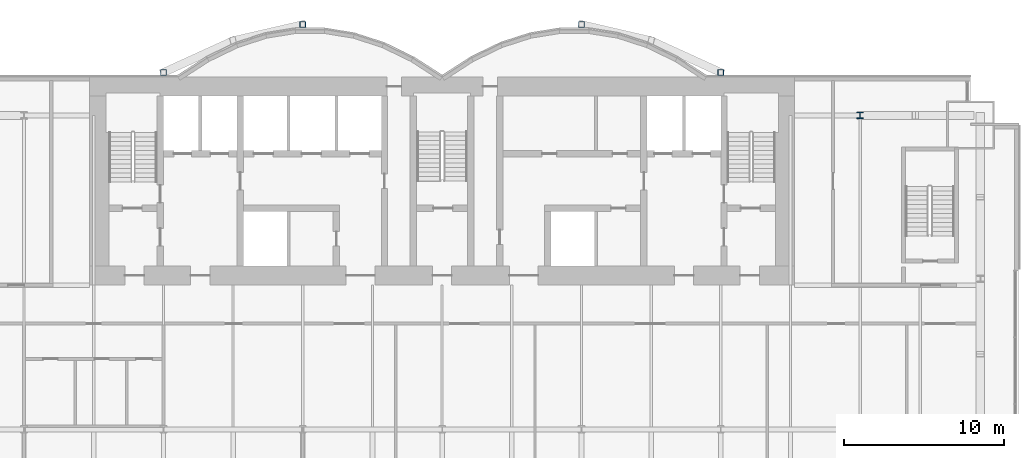
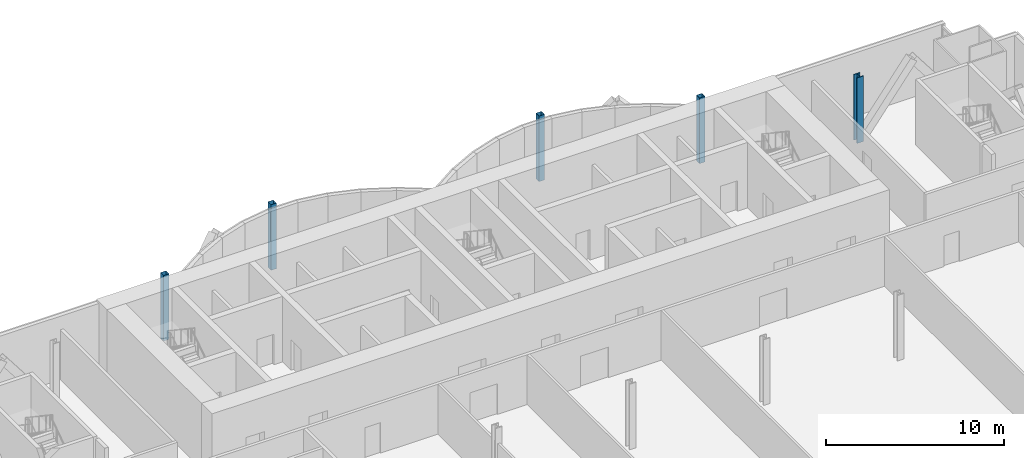
# One storey, part 2 of 21: 5 columns.
"""IFC4 building model written with IfcOpenShell, lengths in metres."""

import ifcopenshell
import ifcopenshell.guid

model = None  # the IFC model being written
_history = None  # IfcOwnerHistory: only IFC2X3 demands one
_inside = {}  # id of a spatial element -> (the spatial element, [elements in it])
_under = {}  # id of a project, library or spatial element -> (it, [spatial elements below it])
_declared = {}  # id of a project -> (the project, [libraries it declares])
_typed = {}  # id of a type object -> (the type object, [elements of that type])
_made_of = {}  # id of a material, layer set ... -> (it, [elements and type objects made of it])


def new_model(schema):
    """Start an empty IFC model of exactly this schema.

    Asked for "IFC4X3", IfcOpenShell would pick the latest addendum, in which some entities
    have other attributes; the version numbers below select the first issue.
    IFC2X3 requires an IfcOwnerHistory on every rooted entity: one is made here for all.
    """
    global model, _history
    if schema == "IFC4X3":
        model = ifcopenshell.file(schema_version=(4, 3, 0, 0))
    else:
        model = ifcopenshell.file(schema=schema)
    _inside.clear()
    _under.clear()
    _declared.clear()
    _typed.clear()
    _made_of.clear()
    _history = None
    if model.schema == "IFC2X3":
        org = make("IfcOrganization", Name="unknown")
        user = make(
            "IfcPersonAndOrganization",
            ThePerson=make("IfcPerson", FamilyName="unknown"),
            TheOrganization=org,
        )
        app = make(
            "IfcApplication",
            ApplicationDeveloper=org,
            Version="unknown",
            ApplicationFullName="unknown",
            ApplicationIdentifier="unknown",
        )
        _history = make(
            "IfcOwnerHistory",
            OwningUser=user,
            OwningApplication=app,
            ChangeAction="ADDED",
            CreationDate=0,
        )
    return model


def make(cls, **values):
    """One entity of the class cls with the attributes given. An attribute that is None is left unset."""
    return model.create_entity(
        cls, **{name: value for name, value in values.items() if value is not None}
    )


def rooted(cls, **values):
    """An entity with a GlobalId (a new one), such as an element, a storey or a relation."""
    return make(cls, GlobalId=ifcopenshell.guid.new(), OwnerHistory=_history, **values)


def si_unit(unit_type, name, prefix=None):
    """IfcSIUnit, for example si_unit("LENGTHUNIT", "METRE", prefix="MILLI")."""
    return make("IfcSIUnit", UnitType=unit_type, Prefix=prefix, Name=name)


def assignment(units):
    """IfcUnitAssignment: the units of a project."""
    return None if units is None else make("IfcUnitAssignment", Units=units)


def point(xyz):
    """IfcCartesianPoint."""
    return None if xyz is None else make("IfcCartesianPoint", Coordinates=xyz)


def direction(xyz):
    """IfcDirection."""
    return None if xyz is None else make("IfcDirection", DirectionRatios=xyz)


def frame(location, z_axis=None, x_axis=None):
    """IfcAxis2Placement3D, a coordinate frame: its origin and axes. An axis left out is left unset."""
    return make(
        "IfcAxis2Placement3D",
        Location=point(location),
        Axis=direction(z_axis),
        RefDirection=direction(x_axis),
    )


def frame_2d(location, x_axis=None):
    """IfcAxis2Placement2D, a coordinate frame in the plane: its origin and x axis."""
    return make(
        "IfcAxis2Placement2D", Location=point(location), RefDirection=direction(x_axis)
    )


def origin():
    """The frame at (0, 0, 0) with its axes left unset."""
    return frame((0.0, 0.0, 0.0))


def origin_2d():
    """The frame at (0, 0) in the plane with its x axis left unset."""
    return frame_2d((0.0, 0.0))


def place(relative_to, where):
    """IfcLocalPlacement: puts the frame where relative to a parent placement (None: the world)."""
    return make(
        "IfcLocalPlacement", PlacementRelTo=relative_to, RelativePlacement=where
    )


def context(
    kind, dimensions, precision=None, world=None, true_north=None, identifier=None
):
    """IfcGeometricRepresentationContext, for example the 3D "Model" context."""
    return make(
        "IfcGeometricRepresentationContext",
        ContextIdentifier=identifier,
        ContextType=kind,
        CoordinateSpaceDimension=dimensions,
        Precision=precision,
        WorldCoordinateSystem=world,
        TrueNorth=true_north,
    )


def subcontext(parent, identifier, kind, view, scale=None):
    """IfcGeometricRepresentationSubContext, for example "Body" below "Model"."""
    return make(
        "IfcGeometricRepresentationSubContext",
        ContextIdentifier=identifier,
        ContextType=kind,
        ParentContext=parent,
        TargetScale=scale,
        TargetView=view,
    )


def project(units=None, contexts=None):
    """IfcProject with its units and contexts."""
    return rooted(
        "IfcProject",
        Name="project",
        RepresentationContexts=contexts,
        UnitsInContext=assignment(units),
    )


def spatial(cls, under=None, at=None, **own):
    """A site, building, storey or space (cls), placed at a placement, below another one or the project."""
    s = rooted(cls, ObjectPlacement=at, **own)
    if under is not None:
        _under.setdefault(under.id(), (under, []))[1].append(s)
    return s


def profile(cls, at=None, kind="AREA", **sizes):
    """A parametric profile (cls). Its sizes go by their IFC names, for example OverallWidth=200.0."""
    return make(cls, ProfileType=kind, Position=at, **sizes)


def hollow_rectangle(**sizes):
    """IfcRectangleHollowProfileDef."""
    return profile("IfcRectangleHollowProfileDef", **sizes)


def i_section(**sizes):
    """IfcIShapeProfileDef."""
    return profile("IfcIShapeProfileDef", **sizes)


def extrude(swept, where, along, depth):
    """IfcExtrudedAreaSolid: the profile swept, set in the frame where, extruded along a direction by depth."""
    return make(
        "IfcExtrudedAreaSolid",
        SweptArea=swept,
        Position=where,
        ExtrudedDirection=direction(along),
        Depth=depth,
    )


def shape(context_of_items, identifier, shape_type, items):
    """IfcShapeRepresentation: the items that make up one representation, for example the "Body"."""
    return make(
        "IfcShapeRepresentation",
        ContextOfItems=context_of_items,
        RepresentationIdentifier=identifier,
        RepresentationType=shape_type,
        Items=items,
    )


def material(Name=None, Category=None):
    """IfcMaterial."""
    return make("IfcMaterial", Name=Name, Category=Category)


def material_profile(
    of_material, cross_section, Name=None, Category=None, Priority=None
):
    """IfcMaterialProfile: a cross section and its material."""
    return make(
        "IfcMaterialProfile",
        Name=Name,
        Material=of_material,
        Profile=cross_section,
        Priority=Priority,
        Category=Category,
    )


def profile_set(profiles, Name=None, composite=None):
    """IfcMaterialProfileSet."""
    return make(
        "IfcMaterialProfileSet",
        Name=Name,
        MaterialProfiles=profiles,
        CompositeProfile=composite,
    )


def made_of(thing, what):
    """Note that an element or type object is made of a material, layer set ...; save() writes the relation."""
    if what is not None:
        _made_of.setdefault(what.id(), (what, []))[1].append(thing)
    return thing


def type_object(cls, material=None, **own):
    """A type object (cls), such as IfcWallType, which elements share."""
    return made_of(rooted(cls, **own), material)


def element(
    cls,
    number,
    at=None,
    inside=None,
    cuts=None,
    type_object=None,
    material=None,
    context=None,
    identifier="Body",
    shape_type=None,
    held_by="IfcProductDefinitionShape",
    body=None,
    shapes=None,
    **own,
):
    """One element of the class cls, such as IfcWall. Its Tag is "e" and its number.

    at: its placement. inside: the storey or other place that contains it. cuts: it is an
    opening in that element (IfcRelVoidsElement). A single representation is given by context,
    identifier, shape_type and body (its items); several are given by shapes. held_by: the class
    of the entity that holds the representations. save() writes the other relations.
    """
    e = rooted(cls, Tag="e%d" % number, ObjectPlacement=at, **own)
    if body is not None:
        shapes = [shape(context, identifier, shape_type, body)]
    if shapes is not None:
        e.Representation = make(held_by, Representations=shapes)
    if inside is not None:
        _inside.setdefault(inside.id(), (inside, []))[1].append(e)
    if cuts is not None:
        rooted(
            "IfcRelVoidsElement", RelatingBuildingElement=cuts, RelatedOpeningElement=e
        )
    if type_object is not None:
        _typed.setdefault(type_object.id(), (type_object, []))[1].append(e)
    return made_of(e, material)


def aggregate(whole, parts):
    """IfcRelAggregates: a whole, such as a stair, and the parts it consists of."""
    return rooted("IfcRelAggregates", RelatingObject=whole, RelatedObjects=parts)


def save(model, path):
    """Write the relations noted so far, then the file.

    IfcRelAggregates (storeys below a building ...), IfcRelContainedInSpatialStructure (elements
    in a storey), IfcRelDefinesByType, IfcRelAssociatesMaterial and IfcRelDeclares: one each for
    every whole, place, type object, material and project.
    """
    for whole, parts in _under.values():
        aggregate(whole, parts)
    for where, things in _inside.values():
        rooted(
            "IfcRelContainedInSpatialStructure",
            RelatedElements=things,
            RelatingStructure=where,
        )
    for kind, things in _typed.values():
        rooted("IfcRelDefinesByType", RelatedObjects=things, RelatingType=kind)
    for what, things in _made_of.values():
        rooted("IfcRelAssociatesMaterial", RelatedObjects=things, RelatingMaterial=what)
    for by, libraries in _declared.values():
        rooted("IfcRelDeclares", RelatingContext=by, RelatedDefinitions=libraries)
    model.write(path)


model = new_model("IFC4")

# Units and contexts
model_context = context("Model", 3, precision=1e-05, world=origin(), true_north=direction((0.0, 1.0)))
body_context = subcontext(model_context, "Body", "Model", "MODEL_VIEW")
ifc_project = project(units=[si_unit("LENGTHUNIT", "METRE"), si_unit("AREAUNIT", "SQUARE_METRE"), si_unit("VOLUMEUNIT", "CUBIC_METRE"), si_unit("PLANEANGLEUNIT", "RADIAN"), si_unit("MASSUNIT", "GRAM", prefix="KILO")], contexts=[model_context])

# Site, building, storey
site_placement = place(None, origin())
site = spatial("IfcSite", under=ifc_project, at=site_placement, CompositionType="ELEMENT")
building_placement = place(site_placement, origin())
building = spatial("IfcBuilding", under=site, at=building_placement, Name="Bicima Exchange Tower", CompositionType="ELEMENT")
storey_placement = place(building_placement, frame((0.0, 0.0, 66.5)))
storey = spatial("IfcBuildingStorey", under=building, at=storey_placement, Name="L13", CompositionType="ELEMENT", Elevation=66.5)

# Columns
ifc_material_1 = material(Name="Steel ASTM A992 Gr 50", Category="steel")
ifc_material_profile_1 = material_profile(ifc_material_1, i_section(OverallWidth=0.406494140625, OverallDepth=0.41650390625, WebThickness=0.030029296875, FlangeThickness=0.048095703125, at=origin_2d()))
ifc_profile_set_1 = profile_set([ifc_material_profile_1], Name="Steel ASTM A992 Gr 50")
column_type_1 = type_object("IfcColumnType", Name="Perimeter column W14x257", PredefinedType="COLUMN", material=ifc_profile_set_1)
column_placement = place(storey_placement, frame((26.10009765625, -2.39990234375, 0.0), z_axis=(0.0, 0.0, 1.0), x_axis=(1.0, 0.0, 0.0)))
element("IfcColumn", 1, at=column_placement, inside=storey, type_object=column_type_1, Name="Perimeter column grav+26.1r", PredefinedType="COLUMN", context=body_context, shape_type="SweptSolid", body=[
    extrude(i_section(OverallWidth=0.406494140625, OverallDepth=0.41650390625, WebThickness=0.030029296875, FlangeThickness=0.048095703125, at=origin_2d()), origin(), (0.0, 0.0, 1.0), 4.5),
])
ifc_material_2 = material(Name="Steel ASTM A572 Gr 50", Category="steel")
ifc_material_profile_2 = material_profile(ifc_material_2, hollow_rectangle(XDim=0.355712890625, YDim=0.355712890625, WallThickness=0.01171875, at=origin_2d()))
ifc_profile_set_2 = profile_set([ifc_material_profile_2], Name="Steel ASTM A572 Gr 50")
column_type_2 = type_object("IfcColumnType", Name="Rear pilaster HSS14x14x1/2", PredefinedType="COLUMN", material=ifc_profile_set_2)
for number, where, z_axis, x_axis, name in (
    (2, (-8.699951171875, 3.26904296875, 0.0), (0.0, 0.0, 1.0), (1.0, 0.0, 0.0), "Rear pilaster rexo-8.7r"),
    (3, (-17.39990234375, 0.278076171875, 0.0), (0.0, 0.0, 1.0), (1.0, 0.0, 0.0), "Rear pilaster rexo-17.4r"),
    (4, (8.699951171875, 3.26904296875, 0.0), (0.0, 0.0, 1.0), (1.0, 0.0, 0.0), "Rear pilaster rexo+8.7r"),
    (5, (17.39990234375, 0.278076171875, 0.0), (0.0, 0.0, 1.0), (1.0, 0.0, 0.0), "Rear pilaster rexo+17.4r"),
):
    element("IfcColumn", number, at=place(storey_placement, frame(where, z_axis=z_axis, x_axis=x_axis)), inside=storey, type_object=column_type_2, Name=name, PredefinedType="COLUMN", context=body_context, shape_type="SweptSolid", body=[
        extrude(hollow_rectangle(XDim=0.355712890625, YDim=0.355712890625, WallThickness=0.01171875, at=origin_2d()), origin(), (0.0, 0.0, 1.0), 4.5),
    ])

save(model, "model.ifc")
